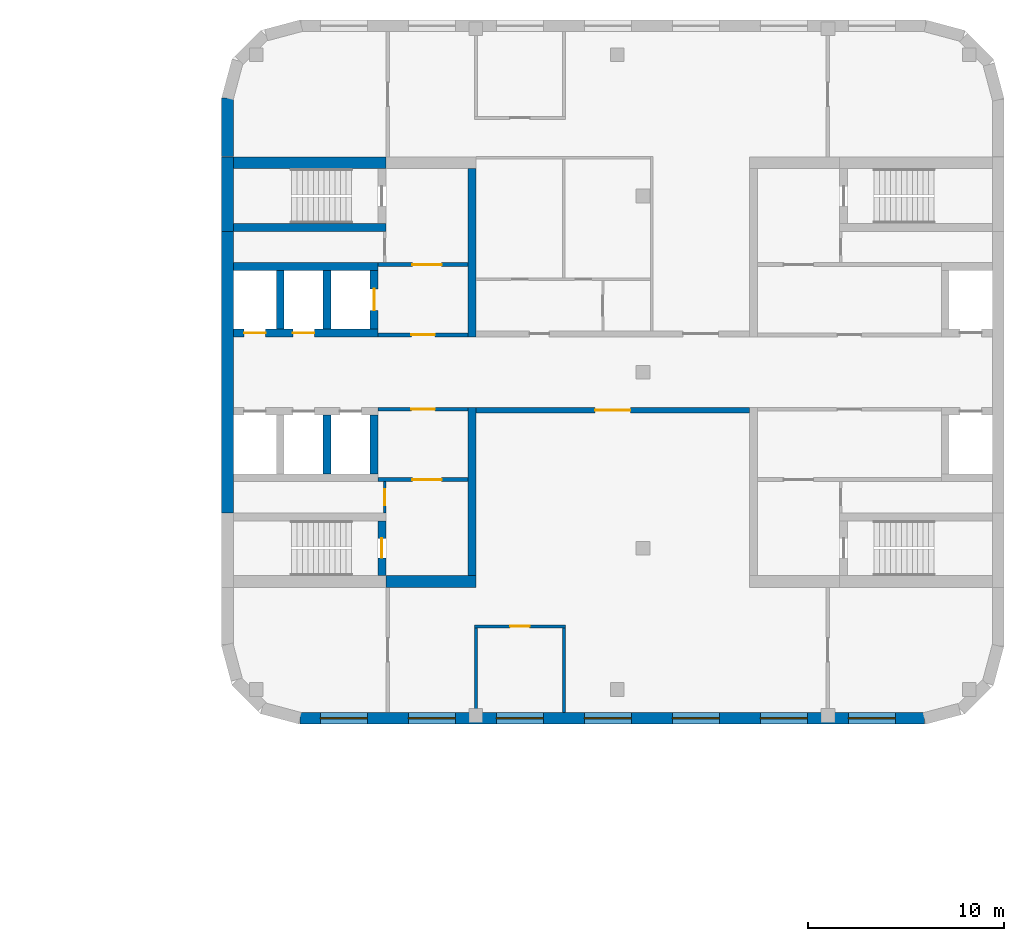
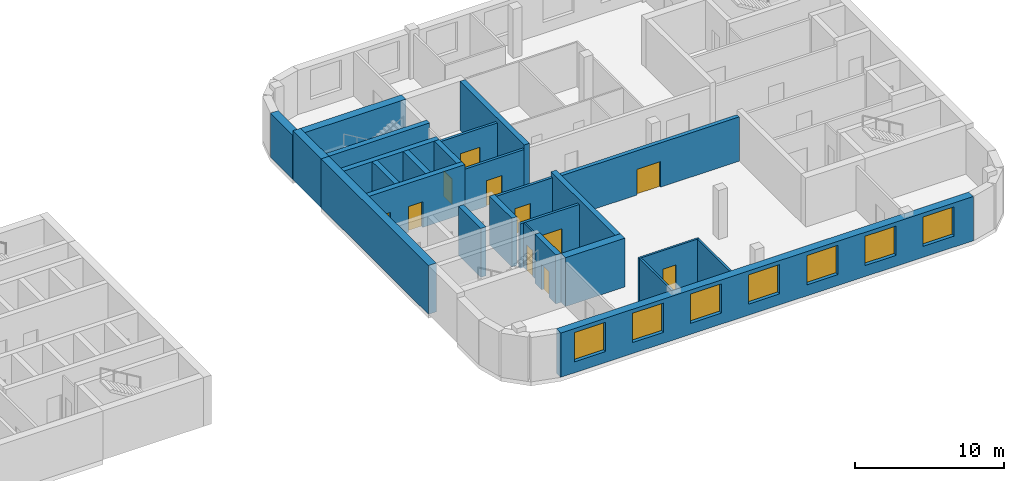
# One storey, part 7 of 12: 26 walls, 11 doors, 7 windows, 18 openings.
"""IFC4 building model written with IfcOpenShell, lengths in metres."""

import ifcopenshell
import ifcopenshell.guid

model = None  # the IFC model being written
_history = None  # IfcOwnerHistory: only IFC2X3 demands one
_inside = {}  # id of a spatial element -> (the spatial element, [elements in it])
_under = {}  # id of a project, library or spatial element -> (it, [spatial elements below it])
_declared = {}  # id of a project -> (the project, [libraries it declares])
_typed = {}  # id of a type object -> (the type object, [elements of that type])
_made_of = {}  # id of a material, layer set ... -> (it, [elements and type objects made of it])


def new_model(schema):
    """Start an empty IFC model of exactly this schema.

    Asked for "IFC4X3", IfcOpenShell would pick the latest addendum, in which some entities
    have other attributes; the version numbers below select the first issue.
    IFC2X3 requires an IfcOwnerHistory on every rooted entity: one is made here for all.
    """
    global model, _history
    if schema == "IFC4X3":
        model = ifcopenshell.file(schema_version=(4, 3, 0, 0))
    else:
        model = ifcopenshell.file(schema=schema)
    _inside.clear()
    _under.clear()
    _declared.clear()
    _typed.clear()
    _made_of.clear()
    _history = None
    if model.schema == "IFC2X3":
        org = make("IfcOrganization", Name="unknown")
        user = make(
            "IfcPersonAndOrganization",
            ThePerson=make("IfcPerson", FamilyName="unknown"),
            TheOrganization=org,
        )
        app = make(
            "IfcApplication",
            ApplicationDeveloper=org,
            Version="unknown",
            ApplicationFullName="unknown",
            ApplicationIdentifier="unknown",
        )
        _history = make(
            "IfcOwnerHistory",
            OwningUser=user,
            OwningApplication=app,
            ChangeAction="ADDED",
            CreationDate=0,
        )
    return model


def make(cls, **values):
    """One entity of the class cls with the attributes given. An attribute that is None is left unset."""
    return model.create_entity(
        cls, **{name: value for name, value in values.items() if value is not None}
    )


def rooted(cls, **values):
    """An entity with a GlobalId (a new one), such as an element, a storey or a relation."""
    return make(cls, GlobalId=ifcopenshell.guid.new(), OwnerHistory=_history, **values)


def si_unit(unit_type, name, prefix=None):
    """IfcSIUnit, for example si_unit("LENGTHUNIT", "METRE", prefix="MILLI")."""
    return make("IfcSIUnit", UnitType=unit_type, Prefix=prefix, Name=name)


def assignment(units):
    """IfcUnitAssignment: the units of a project."""
    return None if units is None else make("IfcUnitAssignment", Units=units)


def point(xyz):
    """IfcCartesianPoint."""
    return None if xyz is None else make("IfcCartesianPoint", Coordinates=xyz)


def direction(xyz):
    """IfcDirection."""
    return None if xyz is None else make("IfcDirection", DirectionRatios=xyz)


def frame(location, z_axis=None, x_axis=None):
    """IfcAxis2Placement3D, a coordinate frame: its origin and axes. An axis left out is left unset."""
    return make(
        "IfcAxis2Placement3D",
        Location=point(location),
        Axis=direction(z_axis),
        RefDirection=direction(x_axis),
    )


def frame_2d(location, x_axis=None):
    """IfcAxis2Placement2D, a coordinate frame in the plane: its origin and x axis."""
    return make(
        "IfcAxis2Placement2D", Location=point(location), RefDirection=direction(x_axis)
    )


def origin():
    """The frame at (0, 0, 0) with its axes left unset."""
    return frame((0.0, 0.0, 0.0))


def place(relative_to, where):
    """IfcLocalPlacement: puts the frame where relative to a parent placement (None: the world)."""
    return make(
        "IfcLocalPlacement", PlacementRelTo=relative_to, RelativePlacement=where
    )


def context(
    kind, dimensions, precision=None, world=None, true_north=None, identifier=None
):
    """IfcGeometricRepresentationContext, for example the 3D "Model" context."""
    return make(
        "IfcGeometricRepresentationContext",
        ContextIdentifier=identifier,
        ContextType=kind,
        CoordinateSpaceDimension=dimensions,
        Precision=precision,
        WorldCoordinateSystem=world,
        TrueNorth=true_north,
    )


def subcontext(parent, identifier, kind, view, scale=None):
    """IfcGeometricRepresentationSubContext, for example "Body" below "Model"."""
    return make(
        "IfcGeometricRepresentationSubContext",
        ContextIdentifier=identifier,
        ContextType=kind,
        ParentContext=parent,
        TargetScale=scale,
        TargetView=view,
    )


def project(units=None, contexts=None):
    """IfcProject with its units and contexts."""
    return rooted(
        "IfcProject",
        Name="project",
        RepresentationContexts=contexts,
        UnitsInContext=assignment(units),
    )


def spatial(cls, under=None, at=None, **own):
    """A site, building, storey or space (cls), placed at a placement, below another one or the project."""
    s = rooted(cls, ObjectPlacement=at, **own)
    if under is not None:
        _under.setdefault(under.id(), (under, []))[1].append(s)
    return s


def profile(cls, at=None, kind="AREA", **sizes):
    """A parametric profile (cls). Its sizes go by their IFC names, for example OverallWidth=200.0."""
    return make(cls, ProfileType=kind, Position=at, **sizes)


def rectangle(**sizes):
    """IfcRectangleProfileDef."""
    return profile("IfcRectangleProfileDef", **sizes)


def extrude(swept, where, along, depth):
    """IfcExtrudedAreaSolid: the profile swept, set in the frame where, extruded along a direction by depth."""
    return make(
        "IfcExtrudedAreaSolid",
        SweptArea=swept,
        Position=where,
        ExtrudedDirection=direction(along),
        Depth=depth,
    )


def shape(context_of_items, identifier, shape_type, items):
    """IfcShapeRepresentation: the items that make up one representation, for example the "Body"."""
    return make(
        "IfcShapeRepresentation",
        ContextOfItems=context_of_items,
        RepresentationIdentifier=identifier,
        RepresentationType=shape_type,
        Items=items,
    )


def material(Name=None, Category=None):
    """IfcMaterial."""
    return make("IfcMaterial", Name=Name, Category=Category)


def layer(
    of_material, thickness, ventilated=None, Name=None, Category=None, Priority=None
):
    """IfcMaterialLayer: one layer of a wall or slab, of a material (None: an air gap)."""
    return make(
        "IfcMaterialLayer",
        Material=of_material,
        LayerThickness=thickness,
        IsVentilated=ventilated,
        Name=Name,
        Category=Category,
        Priority=Priority,
    )


def layer_set(layers, Name=None):
    """IfcMaterialLayerSet."""
    return make("IfcMaterialLayerSet", MaterialLayers=layers, LayerSetName=Name)


def made_of(thing, what):
    """Note that an element or type object is made of a material, layer set ...; save() writes the relation."""
    if what is not None:
        _made_of.setdefault(what.id(), (what, []))[1].append(thing)
    return thing


def type_object(cls, material=None, **own):
    """A type object (cls), such as IfcWallType, which elements share."""
    return made_of(rooted(cls, **own), material)


def element(
    cls,
    number,
    at=None,
    inside=None,
    cuts=None,
    type_object=None,
    material=None,
    context=None,
    identifier="Body",
    shape_type=None,
    held_by="IfcProductDefinitionShape",
    body=None,
    shapes=None,
    **own,
):
    """One element of the class cls, such as IfcWall. Its Tag is "e" and its number.

    at: its placement. inside: the storey or other place that contains it. cuts: it is an
    opening in that element (IfcRelVoidsElement). A single representation is given by context,
    identifier, shape_type and body (its items); several are given by shapes. held_by: the class
    of the entity that holds the representations. save() writes the other relations.
    """
    e = rooted(cls, Tag="e%d" % number, ObjectPlacement=at, **own)
    if body is not None:
        shapes = [shape(context, identifier, shape_type, body)]
    if shapes is not None:
        e.Representation = make(held_by, Representations=shapes)
    if inside is not None:
        _inside.setdefault(inside.id(), (inside, []))[1].append(e)
    if cuts is not None:
        rooted(
            "IfcRelVoidsElement", RelatingBuildingElement=cuts, RelatedOpeningElement=e
        )
    if type_object is not None:
        _typed.setdefault(type_object.id(), (type_object, []))[1].append(e)
    return made_of(e, material)


def fill(opening, filler):
    """IfcRelFillsElement: the door or window that sits in an opening."""
    return rooted(
        "IfcRelFillsElement",
        RelatingOpeningElement=opening,
        RelatedBuildingElement=filler,
    )


def aggregate(whole, parts):
    """IfcRelAggregates: a whole, such as a stair, and the parts it consists of."""
    return rooted("IfcRelAggregates", RelatingObject=whole, RelatedObjects=parts)


def save(model, path):
    """Write the relations noted so far, then the file.

    IfcRelAggregates (storeys below a building ...), IfcRelContainedInSpatialStructure (elements
    in a storey), IfcRelDefinesByType, IfcRelAssociatesMaterial and IfcRelDeclares: one each for
    every whole, place, type object, material and project.
    """
    for whole, parts in _under.values():
        aggregate(whole, parts)
    for where, things in _inside.values():
        rooted(
            "IfcRelContainedInSpatialStructure",
            RelatedElements=things,
            RelatingStructure=where,
        )
    for kind, things in _typed.values():
        rooted("IfcRelDefinesByType", RelatedObjects=things, RelatingType=kind)
    for what, things in _made_of.values():
        rooted("IfcRelAssociatesMaterial", RelatedObjects=things, RelatingMaterial=what)
    for by, libraries in _declared.values():
        rooted("IfcRelDeclares", RelatingContext=by, RelatedDefinitions=libraries)
    model.write(path)


model = new_model("IFC4")

# Units and contexts
model_context = context("Model", 3, precision=1e-05, world=origin(), true_north=direction((0.0, 1.0)))
body_context = subcontext(model_context, "Body", "Model", "MODEL_VIEW")
ifc_project = project(units=[si_unit("LENGTHUNIT", "METRE"), si_unit("AREAUNIT", "SQUARE_METRE"), si_unit("VOLUMEUNIT", "CUBIC_METRE"), si_unit("PLANEANGLEUNIT", "RADIAN"), si_unit("MASSUNIT", "GRAM", prefix="KILO")], contexts=[model_context])

# Site, building, storey
site_placement = place(None, origin())
site = spatial("IfcSite", under=ifc_project, at=site_placement, CompositionType="ELEMENT")
building_placement = place(site_placement, origin())
building = spatial("IfcBuilding", under=site, at=building_placement, Name="Skarvind Civic Tower", CompositionType="ELEMENT")
storey_placement = place(building_placement, frame((0.0, 0.0, 85.0)))
storey = spatial("IfcBuildingStorey", under=building, at=storey_placement, Name="L19", CompositionType="ELEMENT", Elevation=85.0)

# Wall, opening, door
ifc_material_1 = material(Name="Fire-rated gypsum board on steel studs", Category="steel")
ifc_layer_1 = layer(ifc_material_1, 0.300048828125)
ifc_layer_set_1 = layer_set([ifc_layer_1], Name="CORRIDOR WALL 300")
wall_type_1 = type_object("IfcWallType", Name="CORRIDOR WALL 300", PredefinedType="PARTITIONING", material=ifc_layer_set_1)
wall_1_placement = place(storey_placement, frame((154.0, 126.050048828125, 0.0), z_axis=(0.0, 0.0, 1.0), x_axis=(-1.0, 0.0, 0.0)))
wall_1 = element("IfcWall", 1, at=wall_1_placement, inside=storey, type_object=wall_type_1, Name="Partition 19.015", PredefinedType="PARTITIONING", context=body_context, shape_type="SweptSolid", body=[
    extrude(rectangle(XDim=14.0, YDim=0.300048828125, at=frame_2d((7.0, 0.0))), origin(), (0.0, 0.0, 1.0), 3.625),
])
opening_1_placement = place(wall_1_placement, frame((6.10009765625, 0.0, 0.0)))
opening_1 = element("IfcOpeningElement", 2, at=opening_1_placement, cuts=wall_1, Name="Opening L19-D109", PredefinedType="OPENING", context=body_context, shape_type="SweptSolid", body=[
    extrude(rectangle(XDim=1.800048828125, YDim=2.10009765625, at=frame_2d((0.89990234375, 1.050048828125))), frame((0.0, 0.159912109375, 0.0), z_axis=(0.0, -1.0, 0.0), x_axis=(1.0, 0.0, 0.0)), (0.0, 0.0, 1.0), 0.320068359375),
])
ifc_material_2 = material(Name="Fire-rated timber door leaf", Category="wood")
door_type_1 = type_object("IfcDoorType", Name="FD4 1800x2100", OperationType="NOTDEFINED", PredefinedType="DOOR", material=ifc_material_2)
door_1_placement = place(opening_1_placement, origin())
door_1 = element("IfcDoor", 3, at=door_1_placement, inside=storey, type_object=door_type_1, Name="Door L19-D109", OperationType="DOUBLE_DOOR_SINGLE_SWING", OverallHeight=2.10009765625, OverallWidth=1.800048828125, PredefinedType="DOOR", context=body_context, shape_type="SweptSolid", body=[
    extrude(rectangle(XDim=1.800048828125, YDim=2.10009765625, at=frame_2d((0.89990234375, 1.050048828125))), frame((0.0, 0.02490234375, 0.0), z_axis=(0.0, -1.0, 0.0), x_axis=(1.0, 0.0, 0.0)), (0.0, 0.0, 1.0), 0.050048828125),
])
fill(opening_1, door_1)

ifc_material_3 = material(Name="Fire-rated masonry partition", Category="masonry")
ifc_layer_2 = layer(ifc_material_3, 0.199951171875)
ifc_layer_set_2 = layer_set([ifc_layer_2], Name="Core enclosure wall 200")
wall_type_2 = type_object("IfcWallType", Name="Core enclosure wall 200", PredefinedType="PARTITIONING", material=ifc_layer_set_2)
wall_2_placement = place(storey_placement, frame((135.0, 129.89990234375, 0.0), z_axis=(0.0, 0.0, 1.0), x_axis=(1.0, 0.0, 0.0)))
wall_2 = element("IfcWall", 4, at=wall_2_placement, inside=storey, type_object=wall_type_2, Name="Core wall CA", PredefinedType="PARTITIONING", context=body_context, shape_type="SweptSolid", body=[
    extrude(rectangle(XDim=4.60009765625, YDim=0.199951171875, at=frame_2d((2.300048828125, 0.0))), origin(), (0.0, 0.0, 1.0), 3.625),
])
opening_2_placement = place(wall_2_placement, frame((1.699951171875, 0.0, 0.0)))
opening_2 = element("IfcOpeningElement", 5, at=opening_2_placement, cuts=wall_2, Name="Opening D-L19-CA-06", PredefinedType="OPENING", context=body_context, shape_type="SweptSolid", body=[
    extrude(rectangle(XDim=1.199951171875, YDim=2.10009765625, at=frame_2d((0.60009765625, 1.050048828125))), frame((0.0, 0.10986328125, 0.0), z_axis=(0.0, -1.0, 0.0), x_axis=(1.0, 0.0, 0.0)), (0.0, 0.0, 1.0), 0.219970703125),
])
ifc_material_4 = material(Name="Fire-rated steel door", Category="steel")
door_type_2 = type_object("IfcDoorType", Name="Core lobby door 1200", OperationType="NOTDEFINED", PredefinedType="DOOR", material=ifc_material_4)
door_2_placement = place(opening_2_placement, origin())
door_2 = element("IfcDoor", 6, at=door_2_placement, inside=storey, type_object=door_type_2, Name="Fire door", OperationType="DOUBLE_DOOR_SINGLE_SWING", OverallHeight=2.10009765625, OverallWidth=1.199951171875, PredefinedType="DOOR", context=body_context, shape_type="SweptSolid", body=[
    extrude(rectangle(XDim=1.199951171875, YDim=2.10009765625, at=frame_2d((0.60009765625, 1.050048828125))), frame((0.0, 0.02490234375, 0.0), z_axis=(0.0, -1.0, 0.0), x_axis=(1.0, 0.0, 0.0)), (0.0, 0.0, 1.0), 0.050048828125),
])
fill(opening_2, door_2)

wall_3_placement = place(storey_placement, frame((135.0, 133.5, 0.0), z_axis=(0.0, 0.0, 1.0), x_axis=(1.0, 0.0, 0.0)))
wall_3 = element("IfcWall", 7, at=wall_3_placement, inside=storey, type_object=wall_type_2, Name="Core wall CA", PredefinedType="PARTITIONING", context=body_context, shape_type="SweptSolid", body=[
    extrude(rectangle(XDim=4.60009765625, YDim=0.199951171875, at=frame_2d((2.300048828125, 0.0))), origin(), (0.0, 0.0, 1.0), 3.625),
])
opening_3_placement = place(wall_3_placement, frame((1.75, 0.0, 0.0)))
opening_3 = element("IfcOpeningElement", 8, at=opening_3_placement, cuts=wall_3, Name="Opening D-L19-CA-07", PredefinedType="OPENING", context=body_context, shape_type="SweptSolid", body=[
    extrude(rectangle(XDim=1.5, YDim=2.10009765625, at=frame_2d((0.75, 1.050048828125))), frame((0.0, 0.10986328125, 0.0), z_axis=(0.0, -1.0, 0.0), x_axis=(1.0, 0.0, 0.0)), (0.0, 0.0, 1.0), 0.219970703125),
])
door_type_3 = type_object("IfcDoorType", Name="Fire door 1500", OperationType="NOTDEFINED", PredefinedType="DOOR", material=ifc_material_4)
door_3_placement = place(opening_3_placement, origin())
door_3 = element("IfcDoor", 9, at=door_3_placement, inside=storey, type_object=door_type_3, Name="Fire door", OperationType="DOUBLE_DOOR_SINGLE_SWING", OverallHeight=2.10009765625, OverallWidth=1.5, PredefinedType="DOOR", context=body_context, shape_type="SweptSolid", body=[
    extrude(rectangle(XDim=1.5, YDim=2.10009765625, at=frame_2d((0.75, 1.050048828125))), frame((0.0, 0.02490234375, 0.0), z_axis=(0.0, -1.0, 0.0), x_axis=(1.0, 0.0, 0.0)), (0.0, 0.0, 1.0), 0.050048828125),
])
fill(opening_3, door_3)

wall_4_placement = place(storey_placement, frame((139.60009765625, 126.10009765625, 0.0), z_axis=(0.0, 0.0, 1.0), x_axis=(-1.0, 0.0, 0.0)))
wall_4 = element("IfcWall", 10, at=wall_4_placement, inside=storey, type_object=wall_type_2, Name="Core wall CA", PredefinedType="PARTITIONING", context=body_context, shape_type="SweptSolid", body=[
    extrude(rectangle(XDim=4.60009765625, YDim=0.199951171875, at=frame_2d((2.300048828125, 0.0))), origin(), (0.0, 0.0, 1.0), 3.625),
])
opening_4_placement = place(wall_4_placement, frame((1.699951171875, 0.0, 0.0)))
opening_4 = element("IfcOpeningElement", 11, at=opening_4_placement, cuts=wall_4, Name="Opening D-L19-CA-10", PredefinedType="OPENING", context=body_context, shape_type="SweptSolid", body=[
    extrude(rectangle(XDim=1.199951171875, YDim=2.10009765625, at=frame_2d((0.60009765625, 1.050048828125))), frame((0.0, 0.10986328125, 0.0), z_axis=(0.0, -1.0, 0.0), x_axis=(1.0, 0.0, 0.0)), (0.0, 0.0, 1.0), 0.219970703125),
])
door_4_placement = place(opening_4_placement, origin())
door_4 = element("IfcDoor", 12, at=door_4_placement, inside=storey, type_object=door_type_2, Name="Fire door", OperationType="DOUBLE_DOOR_SINGLE_SWING", OverallHeight=2.10009765625, OverallWidth=1.199951171875, PredefinedType="DOOR", context=body_context, shape_type="SweptSolid", body=[
    extrude(rectangle(XDim=1.199951171875, YDim=2.10009765625, at=frame_2d((0.60009765625, 1.050048828125))), frame((0.0, 0.02490234375, 0.0), z_axis=(0.0, -1.0, 0.0), x_axis=(1.0, 0.0, 0.0)), (0.0, 0.0, 1.0), 0.050048828125),
])
fill(opening_4, door_4)

wall_5_placement = place(storey_placement, frame((139.60009765625, 122.5, 0.0), z_axis=(0.0, 0.0, 1.0), x_axis=(-1.0, 0.0, 0.0)))
wall_5 = element("IfcWall", 13, at=wall_5_placement, inside=storey, type_object=wall_type_2, Name="Core wall CA", PredefinedType="PARTITIONING", context=body_context, shape_type="SweptSolid", body=[
    extrude(rectangle(XDim=4.60009765625, YDim=0.199951171875, at=frame_2d((2.300048828125, 0.0))), origin(), (0.0, 0.0, 1.0), 3.625),
])
opening_5_placement = place(wall_5_placement, frame((1.35009765625, 0.0, 0.0)))
opening_5 = element("IfcOpeningElement", 14, at=opening_5_placement, cuts=wall_5, Name="Opening D-L19-CA-11", PredefinedType="OPENING", context=body_context, shape_type="SweptSolid", body=[
    extrude(rectangle(XDim=1.5, YDim=2.10009765625, at=frame_2d((0.75, 1.050048828125))), frame((0.0, 0.10986328125, 0.0), z_axis=(0.0, -1.0, 0.0), x_axis=(1.0, 0.0, 0.0)), (0.0, 0.0, 1.0), 0.219970703125),
])
door_5_placement = place(opening_5_placement, origin())
door_5 = element("IfcDoor", 15, at=door_5_placement, inside=storey, type_object=door_type_3, Name="Fire door", OperationType="DOUBLE_DOOR_SINGLE_SWING", OverallHeight=2.10009765625, OverallWidth=1.5, PredefinedType="DOOR", context=body_context, shape_type="SweptSolid", body=[
    extrude(rectangle(XDim=1.5, YDim=2.10009765625, at=frame_2d((0.75, 1.050048828125))), frame((0.0, 0.02490234375, 0.0), z_axis=(0.0, -1.0, 0.0), x_axis=(1.0, 0.0, 0.0)), (0.0, 0.0, 1.0), 0.050048828125),
])
fill(opening_5, door_5)

ifc_material_5 = material(Name="Concrete C80", Category="concrete")
ifc_layer_3 = layer(ifc_material_5, 0.39990234375)
ifc_layer_set_3 = layer_set([ifc_layer_3], Name="Core wall 400 C80")
wall_type_3 = type_object("IfcWallType", Name="Core wall 400 C80", PredefinedType="SHEAR", material=ifc_layer_set_3)
wall_6_placement = place(storey_placement, frame((135.199951171875, 117.60009765625, 0.0), z_axis=(0.0, 0.0, 1.0), x_axis=(0.0, 1.0, 0.0)))
wall_6 = element("IfcWall", 16, at=wall_6_placement, inside=storey, type_object=wall_type_3, Name="Core wall CA south stair end L19", PredefinedType="SHEAR", context=body_context, shape_type="SweptSolid", body=[
    extrude(rectangle(XDim=2.7998046875, YDim=0.39990234375, at=frame_2d((1.39990234375, 0.0))), origin(), (0.0, 0.0, 1.0), 4.0),
])
opening_6_placement = place(wall_6_placement, frame((0.89990234375, 0.0, 0.0)))
opening_6 = element("IfcOpeningElement", 17, at=opening_6_placement, cuts=wall_6, Name="Opening D-L19-CA-12", PredefinedType="OPENING", context=body_context, shape_type="SweptSolid", body=[
    extrude(rectangle(XDim=1.0, YDim=2.10009765625, at=frame_2d((0.5, 1.050048828125))), frame((0.0, 0.2099609375, 0.0), z_axis=(0.0, -1.0, 0.0), x_axis=(1.0, 0.0, 0.0)), (0.0, 0.0, 1.0), 0.419921875),
])
door_type_4 = type_object("IfcDoorType", Name="Fire door 1000", OperationType="NOTDEFINED", PredefinedType="DOOR", material=ifc_material_4)
door_6_placement = place(opening_6_placement, origin())
door_6 = element("IfcDoor", 18, at=door_6_placement, inside=storey, type_object=door_type_4, Name="Fire door", OperationType="SINGLE_SWING_RIGHT", OverallHeight=2.10009765625, OverallWidth=1.0, PredefinedType="DOOR", context=body_context, shape_type="SweptSolid", body=[
    extrude(rectangle(XDim=1.0, YDim=2.10009765625, at=frame_2d((0.5, 1.050048828125))), frame((0.0, 0.02490234375, 0.0), z_axis=(0.0, -1.0, 0.0), x_axis=(1.0, 0.0, 0.0)), (0.0, 0.0, 1.0), 0.050048828125),
])
fill(opening_6, door_6)

# Walls
wall_7_placement = place(storey_placement, frame((127.60009765625, 135.39990234375, 0.0), z_axis=(0.0, 0.0, 1.0), x_axis=(1.0, 0.0, 0.0)))
element("IfcWall", 19, at=wall_7_placement, inside=storey, type_object=wall_type_3, Name="Core wall CA north stair inner L19", PredefinedType="SHEAR", context=body_context, shape_type="SweptSolid", body=[
    extrude(rectangle(XDim=7.7998046875, YDim=0.39990234375, at=frame_2d((3.89990234375, 0.0))), origin(), (0.0, 0.0, 1.0), 4.0),
])
for number, where, z_axis, x_axis, name in (
    (20, (132.39990234375, 122.800048828125, 0.0), (0.0, 0.0, 1.0), (0.0, 1.0, 0.0), "Core wall CA south lift row division 2 L19"),
    (21, (134.800048828125, 122.800048828125, 0.0), (0.0, 0.0, 1.0), (0.0, 1.0, 0.0), "Core wall CA south lift row division 3 L19"),
):
    element("IfcWall", number, at=place(storey_placement, frame(where, z_axis=z_axis, x_axis=x_axis)), inside=storey, type_object=wall_type_3, Name=name, PredefinedType="SHEAR", context=body_context, shape_type="SweptSolid", body=[
        extrude(rectangle(XDim=3.0, YDim=0.39990234375, at=frame_2d((1.5, 0.0))), origin(), (0.0, 0.0, 1.0), 4.0),
    ])

# Wall, openings, doors
wall_8_placement = place(storey_placement, frame((127.60009765625, 130.0, 0.0), z_axis=(0.0, 0.0, 1.0), x_axis=(1.0, 0.0, 0.0)))
wall_8 = element("IfcWall", 22, at=wall_8_placement, inside=storey, type_object=wall_type_3, Name="Core wall CA north lift row front L19", PredefinedType="SHEAR", context=body_context, shape_type="SweptSolid", body=[
    extrude(rectangle(XDim=7.39990234375, YDim=0.39990234375, at=frame_2d((3.699951171875, 0.0))), origin(), (0.0, 0.0, 1.0), 4.0),
])
opening_7_placement = place(wall_8_placement, frame((0.550048828125, 0.0, 0.0)))
opening_7 = element("IfcOpeningElement", 23, at=opening_7_placement, cuts=wall_8, Name="Opening LD21301", PredefinedType="OPENING", context=body_context, shape_type="SweptSolid", body=[
    extrude(rectangle(XDim=1.10009765625, YDim=2.10009765625, at=frame_2d((0.550048828125, 1.050048828125))), frame((0.0, 0.2099609375, 0.0), z_axis=(0.0, -1.0, 0.0), x_axis=(1.0, 0.0, 0.0)), (0.0, 0.0, 1.0), 0.419921875),
])
opening_8_placement = place(wall_8_placement, frame((3.050048828125, 0.0, 0.0)))
opening_8 = element("IfcOpeningElement", 24, at=opening_8_placement, cuts=wall_8, Name="Opening LD21302", PredefinedType="OPENING", context=body_context, shape_type="SweptSolid", body=[
    extrude(rectangle(XDim=1.10009765625, YDim=2.10009765625, at=frame_2d((0.550048828125, 1.050048828125))), frame((0.0, 0.2099609375, 0.0), z_axis=(0.0, -1.0, 0.0), x_axis=(1.0, 0.0, 0.0)), (0.0, 0.0, 1.0), 0.419921875),
])
ifc_material_6 = material(Name="Stainless steel landing door", Category="steel")
door_type_5 = type_object("IfcDoorType", Name="Lift landing door 1100", OperationType="DOUBLE_DOOR_SLIDING", PredefinedType="DOOR", material=ifc_material_6)
door_7_placement = place(opening_7_placement, origin())
door_7 = element("IfcDoor", 25, at=door_7_placement, inside=storey, type_object=door_type_5, Name="Lift landing door", OperationType="DOUBLE_DOOR_SLIDING", OverallHeight=2.10009765625, OverallWidth=1.10009765625, PredefinedType="DOOR", context=body_context, shape_type="SweptSolid", body=[
    extrude(rectangle(XDim=1.10009765625, YDim=2.10009765625, at=frame_2d((0.550048828125, 1.050048828125))), frame((0.0, 0.02490234375, 0.0), z_axis=(0.0, -1.0, 0.0), x_axis=(1.0, 0.0, 0.0)), (0.0, 0.0, 1.0), 0.050048828125),
])
fill(opening_7, door_7)
door_8_placement = place(opening_8_placement, origin())
door_8 = element("IfcDoor", 26, at=door_8_placement, inside=storey, type_object=door_type_5, Name="Lift landing door", OperationType="DOUBLE_DOOR_SLIDING", OverallHeight=2.10009765625, OverallWidth=1.10009765625, PredefinedType="DOOR", context=body_context, shape_type="SweptSolid", body=[
    extrude(rectangle(XDim=1.10009765625, YDim=2.10009765625, at=frame_2d((0.550048828125, 1.050048828125))), frame((0.0, 0.02490234375, 0.0), z_axis=(0.0, -1.0, 0.0), x_axis=(1.0, 0.0, 0.0)), (0.0, 0.0, 1.0), 0.050048828125),
])
fill(opening_8, door_8)

# Walls
wall_9_placement = place(storey_placement, frame((127.60009765625, 133.39990234375, 0.0), z_axis=(0.0, 0.0, 1.0), x_axis=(1.0, 0.0, 0.0)))
element("IfcWall", 27, at=wall_9_placement, inside=storey, type_object=wall_type_3, Name="Core wall CA north lift row back L19", PredefinedType="SHEAR", context=body_context, shape_type="SweptSolid", body=[
    extrude(rectangle(XDim=7.39990234375, YDim=0.39990234375, at=frame_2d((3.699951171875, 0.0))), origin(), (0.0, 0.0, 1.0), 4.0),
])
for number, where, z_axis, x_axis, name in (
    (28, (130.0, 130.199951171875, 0.0), (0.0, 0.0, 1.0), (0.0, 1.0, 0.0), "Core wall CA north lift row division 1 L19"),
    (29, (132.39990234375, 130.199951171875, 0.0), (0.0, 0.0, 1.0), (0.0, 1.0, 0.0), "Core wall CA north lift row division 2 L19"),
):
    element("IfcWall", number, at=place(storey_placement, frame(where, z_axis=z_axis, x_axis=x_axis)), inside=storey, type_object=wall_type_3, Name=name, PredefinedType="SHEAR", context=body_context, shape_type="SweptSolid", body=[
        extrude(rectangle(XDim=3.0, YDim=0.39990234375, at=frame_2d((1.5, 0.0))), origin(), (0.0, 0.0, 1.0), 4.0),
    ])

# Wall, opening, door
wall_10_placement = place(storey_placement, frame((134.800048828125, 130.199951171875, 0.0), z_axis=(0.0, 0.0, 1.0), x_axis=(0.0, 1.0, 0.0)))
wall_10 = element("IfcWall", 30, at=wall_10_placement, inside=storey, type_object=wall_type_3, Name="Core wall CA north lift row division 3 L19", PredefinedType="SHEAR", context=body_context, shape_type="SweptSolid", body=[
    extrude(rectangle(XDim=3.0, YDim=0.39990234375, at=frame_2d((1.5, 0.0))), origin(), (0.0, 0.0, 1.0), 4.0),
])
opening_9_placement = place(wall_10_placement, frame((0.949951171875, 0.0, 0.0)))
opening_9 = element("IfcOpeningElement", 31, at=opening_9_placement, cuts=wall_10, Name="Opening LD21303", PredefinedType="OPENING", context=body_context, shape_type="SweptSolid", body=[
    extrude(rectangle(XDim=1.10009765625, YDim=2.10009765625, at=frame_2d((0.550048828125, 1.050048828125))), frame((0.0, 0.2099609375, 0.0), z_axis=(0.0, -1.0, 0.0), x_axis=(1.0, 0.0, 0.0)), (0.0, 0.0, 1.0), 0.419921875),
])
door_9_placement = place(opening_9_placement, origin())
door_9 = element("IfcDoor", 32, at=door_9_placement, inside=storey, type_object=door_type_5, Name="Lift landing door", OperationType="DOUBLE_DOOR_SLIDING", OverallHeight=2.10009765625, OverallWidth=1.10009765625, PredefinedType="DOOR", context=body_context, shape_type="SweptSolid", body=[
    extrude(rectangle(XDim=1.10009765625, YDim=2.10009765625, at=frame_2d((0.550048828125, 1.050048828125))), frame((0.0, 0.02490234375, 0.0), z_axis=(0.0, -1.0, 0.0), x_axis=(1.0, 0.0, 0.0)), (0.0, 0.0, 1.0), 0.050048828125),
])
fill(opening_9, door_9)

# Walls
for number, where, z_axis, x_axis, name in (
    (33, (139.800048828125, 117.60009765625, 0.0), (0.0, 0.0, 1.0), (0.0, 1.0, 0.0), "Core wall CA south inner face L19"),
    (34, (139.800048828125, 129.800048828125, 0.0), (0.0, 0.0, 1.0), (0.0, 1.0, 0.0), "Core wall CA north inner face L19"),
):
    element("IfcWall", number, at=place(storey_placement, frame(where, z_axis=z_axis, x_axis=x_axis)), inside=storey, type_object=wall_type_3, Name=name, PredefinedType="SHEAR", context=body_context, shape_type="SweptSolid", body=[
        extrude(rectangle(XDim=8.599853515625, YDim=0.39990234375, at=frame_2d((4.2998046875, 0.0))), origin(), (0.0, 0.0, 1.0), 4.0),
    ])
ifc_layer_4 = layer(ifc_material_5, 0.60009765625)
ifc_layer_set_4 = layer_set([ifc_layer_4], Name="Core wall 600 C80")
wall_type_4 = type_object("IfcWallType", Name="Core wall 600 C80", PredefinedType="SHEAR", material=ifc_layer_set_4)
wall_11_placement = place(storey_placement, frame((127.300048828125, 120.800048828125, 0.0), z_axis=(0.0, 0.0, 1.0), x_axis=(0.0, 1.0, 0.0)))
element("IfcWall", 35, at=wall_11_placement, inside=storey, type_object=wall_type_4, Name="Core wall CA tip between the stairs L19", PredefinedType="SHEAR", context=body_context, shape_type="SweptSolid", body=[
    extrude(rectangle(XDim=14.39990234375, YDim=0.60009765625, at=frame_2d((7.199951171875, 0.0))), origin(), (0.0, 0.0, 1.0), 4.0),
])
wall_12_placement = place(storey_placement, frame((127.300048828125, 135.199951171875, 0.0), z_axis=(0.0, 0.0, 1.0), x_axis=(0.0, 1.0, 0.0)))
element("IfcWall", 36, at=wall_12_placement, inside=storey, type_object=wall_type_4, Name="Core wall CA tip at the north stair L19", PredefinedType="SHEAR", context=body_context, shape_type="SweptSolid", body=[
    extrude(rectangle(XDim=3.800048828125, YDim=0.60009765625, at=frame_2d((1.89990234375, 0.0))), origin(), (0.0, 0.0, 1.0), 4.0),
])
wall_13_placement = place(storey_placement, frame((127.60009765625, 138.699951171875, 0.0), z_axis=(0.0, 0.0, 1.0), x_axis=(1.0, 0.0, 0.0)))
element("IfcWall", 37, at=wall_13_placement, inside=storey, type_object=wall_type_4, Name="Core wall CA north side at the stair L19", PredefinedType="SHEAR", context=body_context, shape_type="SweptSolid", body=[
    extrude(rectangle(XDim=7.7998046875, YDim=0.60009765625, at=frame_2d((3.89990234375, 0.0))), origin(), (0.0, 0.0, 1.0), 4.0),
])
wall_14_placement = place(storey_placement, frame((135.39990234375, 117.300048828125, 0.0), z_axis=(0.0, 0.0, 1.0), x_axis=(1.0, 0.0, 0.0)))
element("IfcWall", 38, at=wall_14_placement, inside=storey, type_object=wall_type_4, Name="Core wall CA south side L19", PredefinedType="SHEAR", context=body_context, shape_type="SweptSolid", body=[
    extrude(rectangle(XDim=4.60009765625, YDim=0.60009765625, at=frame_2d((2.300048828125, 0.0))), origin(), (0.0, 0.0, 1.0), 4.0),
])
ifc_material_7 = material(Name="Plasterboard partition on steel studs", Category="steel")
ifc_layer_5 = layer(ifc_material_7, 0.14990234375)
ifc_layer_set_5 = layer_set([ifc_layer_5], Name="PARTITION 150")
wall_type_5 = type_object("IfcWallType", Name="PARTITION 150", PredefinedType="PARTITIONING", material=ifc_layer_set_5)
wall_15_placement = place(storey_placement, frame((140.0, 110.60009765625, 0.0), z_axis=(0.0, 0.0, 1.0), x_axis=(0.0, 1.0, 0.0)))
element("IfcWall", 39, at=wall_15_placement, inside=storey, type_object=wall_type_5, Name="Partition 19.003", PredefinedType="PARTITIONING", context=body_context, shape_type="SweptSolid", body=[
    extrude(rectangle(XDim=4.324951171875, YDim=0.14990234375, at=frame_2d((2.16259765625, 0.0))), origin(), (0.0, 0.0, 1.0), 3.625),
])

# Wall, opening, door
wall_16_placement = place(storey_placement, frame((139.925048828125, 115.0, 0.0), z_axis=(0.0, 0.0, 1.0), x_axis=(1.0, 0.0, 0.0)))
wall_16 = element("IfcWall", 40, at=wall_16_placement, inside=storey, type_object=wall_type_5, Name="Partition 19.004", PredefinedType="PARTITIONING", context=body_context, shape_type="SweptSolid", body=[
    extrude(rectangle(XDim=4.64990234375, YDim=0.14990234375, at=frame_2d((2.324951171875, 0.0))), origin(), (0.0, 0.0, 1.0), 3.625),
])
opening_10_placement = place(wall_16_placement, frame((1.824951171875, 0.0, 0.0)))
opening_10 = element("IfcOpeningElement", 41, at=opening_10_placement, cuts=wall_16, Name="Opening L19-D110", PredefinedType="OPENING", context=body_context, shape_type="SweptSolid", body=[
    extrude(rectangle(XDim=1.0, YDim=2.10009765625, at=frame_2d((0.5, 1.050048828125))), frame((0.0, 0.0849609375, 0.0), z_axis=(0.0, -1.0, 0.0), x_axis=(1.0, 0.0, 0.0)), (0.0, 0.0, 1.0), 0.169921875),
])
ifc_material_8 = material(Name="Timber door leaf", Category="wood")
door_type_6 = type_object("IfcDoorType", Name="D1 1000x2100", OperationType="NOTDEFINED", PredefinedType="DOOR", material=ifc_material_8)
door_10_placement = place(opening_10_placement, origin())
door_10 = element("IfcDoor", 42, at=door_10_placement, inside=storey, type_object=door_type_6, Name="Door L19-D110", OperationType="SINGLE_SWING_LEFT", OverallHeight=2.10009765625, OverallWidth=1.0, PredefinedType="DOOR", context=body_context, shape_type="SweptSolid", body=[
    extrude(rectangle(XDim=1.0, YDim=2.10009765625, at=frame_2d((0.5, 1.050048828125))), frame((0.0, 0.02490234375, 0.0), z_axis=(0.0, -1.0, 0.0), x_axis=(1.0, 0.0, 0.0)), (0.0, 0.0, 1.0), 0.050048828125),
])
fill(opening_10, door_10)

# Wall
wall_17_placement = place(storey_placement, frame((144.5, 114.925048828125, 0.0), z_axis=(0.0, 0.0, 1.0), x_axis=(0.0, -1.0, 0.0)))
element("IfcWall", 43, at=wall_17_placement, inside=storey, type_object=wall_type_5, Name="Partition 19.009", PredefinedType="PARTITIONING", context=body_context, shape_type="SweptSolid", body=[
    extrude(rectangle(XDim=4.324951171875, YDim=0.14990234375, at=frame_2d((2.16259765625, 0.0))), origin(), (0.0, 0.0, 1.0), 3.625),
])

# Wall, opening, door
ifc_layer_6 = layer(ifc_material_3, 0.125)
ifc_layer_set_6 = layer_set([ifc_layer_6], Name="Riser wall 125")
wall_type_6 = type_object("IfcWallType", Name="Riser wall 125", PredefinedType="PARTITIONING", material=ifc_layer_set_6)
wall_18_placement = place(storey_placement, frame((135.33740234375, 122.39990234375, 0.0), z_axis=(0.0, 0.0, 1.0), x_axis=(0.0, -1.0, 0.0)))
wall_18 = element("IfcWall", 44, at=wall_18_placement, inside=storey, type_object=wall_type_6, Name="Core wall CA", PredefinedType="PARTITIONING", context=body_context, shape_type="SweptSolid", body=[
    extrude(rectangle(XDim=1.599853515625, YDim=0.125, at=frame_2d((0.7998046875, 0.0))), origin(), (0.0, 0.0, 1.0), 3.625),
])
opening_11_placement = place(wall_18_placement, frame((0.39990234375, 0.0, 0.0)))
opening_11 = element("IfcOpeningElement", 45, at=opening_11_placement, cuts=wall_18, Name="Opening D-L19-CA-13", PredefinedType="OPENING", context=body_context, shape_type="SweptSolid", body=[
    extrude(rectangle(XDim=0.800048828125, YDim=2.10009765625, at=frame_2d((0.39990234375, 1.050048828125))), frame((0.0, 0.072509765625, 0.0), z_axis=(0.0, -1.0, 0.0), x_axis=(1.0, 0.0, 0.0)), (0.0, 0.0, 1.0), 0.14501953125),
])
door_type_7 = type_object("IfcDoorType", Name="Core riser door 800", OperationType="NOTDEFINED", PredefinedType="DOOR", material=ifc_material_4)
door_11_placement = place(opening_11_placement, origin())
door_11 = element("IfcDoor", 46, at=door_11_placement, inside=storey, type_object=door_type_7, Name="Riser door", OperationType="SINGLE_SWING_LEFT", OverallHeight=2.10009765625, OverallWidth=0.800048828125, PredefinedType="DOOR", context=body_context, shape_type="SweptSolid", body=[
    extrude(rectangle(XDim=0.800048828125, YDim=2.10009765625, at=frame_2d((0.39990234375, 1.050048828125))), frame((0.0, 0.02490234375, 0.0), z_axis=(0.0, -1.0, 0.0), x_axis=(1.0, 0.0, 0.0)), (0.0, 0.0, 1.0), 0.050048828125),
])
fill(opening_11, door_11)

# Wall
ifc_material_9 = material(Name="Limestone masonry cladding on insulated backing", Category="masonry")
ifc_layer_7 = layer(ifc_material_9, 0.60009765625)
ifc_layer_set_7 = layer_set([ifc_layer_7], Name="WX1 STONE FACADE WALL 600")
wall_type_7 = type_object("IfcWallType", Name="WX1 STONE FACADE WALL 600", PredefinedType="SOLIDWALL", material=ifc_layer_set_7)
wall_19_placement = place(storey_placement, frame((127.300048828125, 139.02001953125, 0.0), z_axis=(0.0, 0.0, 1.0), x_axis=(0.0, 1.0, 0.0)))
element("IfcWall", 47, at=wall_19_placement, inside=storey, type_object=wall_type_7, Name="STONE FACADE WALL", PredefinedType="SOLIDWALL", context=body_context, shape_type="SweptSolid", body=[
    extrude(rectangle(XDim=2.97998046875, YDim=0.60009765625, at=frame_2d((1.489990234375, 0.0))), origin(), (0.0, 0.0, 1.0), 3.625),
])

# Wall, openings, windows
wall_20_placement = place(storey_placement, frame((162.929931640625, 110.300048828125, 0.0), z_axis=(0.0, 0.0, 1.0), x_axis=(-1.0, 0.0, 0.0)))
wall_20 = element("IfcWall", 48, at=wall_20_placement, inside=storey, type_object=wall_type_7, Name="STONE FACADE WALL", PredefinedType="SOLIDWALL", context=body_context, shape_type="SweptSolid", body=[
    extrude(rectangle(XDim=31.929931640625, YDim=0.60009765625, at=frame_2d((15.96484375, 0.0))), origin(), (0.0, 0.0, 1.0), 3.625),
])
opening_12_placement = place(wall_20_placement, frame((1.47998046875, 0.0, 0.89990234375)))
opening_12 = element("IfcOpeningElement", 49, at=opening_12_placement, cuts=wall_20, Name="Opening WN9", PredefinedType="OPENING", context=body_context, shape_type="SweptSolid", body=[
    extrude(rectangle(XDim=2.39990234375, YDim=2.39990234375, at=frame_2d((1.199951171875, 1.199951171875))), frame((0.0, 0.31005859375, 0.0), z_axis=(0.0, -1.0, 0.0), x_axis=(1.0, 0.0, 0.0)), (0.0, 0.0, 1.0), 0.6201171875),
])
opening_13_placement = place(wall_20_placement, frame((5.97998046875, 0.0, 0.89990234375)))
opening_13 = element("IfcOpeningElement", 50, at=opening_13_placement, cuts=wall_20, Name="Opening WN9", PredefinedType="OPENING", context=body_context, shape_type="SweptSolid", body=[
    extrude(rectangle(XDim=2.39990234375, YDim=2.39990234375, at=frame_2d((1.199951171875, 1.199951171875))), frame((0.0, 0.31005859375, 0.0), z_axis=(0.0, -1.0, 0.0), x_axis=(1.0, 0.0, 0.0)), (0.0, 0.0, 1.0), 0.6201171875),
])
opening_14_placement = place(wall_20_placement, frame((10.47998046875, 0.0, 0.89990234375)))
opening_14 = element("IfcOpeningElement", 51, at=opening_14_placement, cuts=wall_20, Name="Opening WN9", PredefinedType="OPENING", context=body_context, shape_type="SweptSolid", body=[
    extrude(rectangle(XDim=2.39990234375, YDim=2.39990234375, at=frame_2d((1.199951171875, 1.199951171875))), frame((0.0, 0.31005859375, 0.0), z_axis=(0.0, -1.0, 0.0), x_axis=(1.0, 0.0, 0.0)), (0.0, 0.0, 1.0), 0.6201171875),
])
opening_15_placement = place(wall_20_placement, frame((14.97998046875, 0.0, 0.89990234375)))
opening_15 = element("IfcOpeningElement", 52, at=opening_15_placement, cuts=wall_20, Name="Opening WN9", PredefinedType="OPENING", context=body_context, shape_type="SweptSolid", body=[
    extrude(rectangle(XDim=2.39990234375, YDim=2.39990234375, at=frame_2d((1.199951171875, 1.199951171875))), frame((0.0, 0.31005859375, 0.0), z_axis=(0.0, -1.0, 0.0), x_axis=(1.0, 0.0, 0.0)), (0.0, 0.0, 1.0), 0.6201171875),
])
opening_16_placement = place(wall_20_placement, frame((19.47998046875, 0.0, 0.89990234375)))
opening_16 = element("IfcOpeningElement", 53, at=opening_16_placement, cuts=wall_20, Name="Opening WN9", PredefinedType="OPENING", context=body_context, shape_type="SweptSolid", body=[
    extrude(rectangle(XDim=2.39990234375, YDim=2.39990234375, at=frame_2d((1.199951171875, 1.199951171875))), frame((0.0, 0.31005859375, 0.0), z_axis=(0.0, -1.0, 0.0), x_axis=(1.0, 0.0, 0.0)), (0.0, 0.0, 1.0), 0.6201171875),
])
opening_17_placement = place(wall_20_placement, frame((23.97998046875, 0.0, 0.89990234375)))
opening_17 = element("IfcOpeningElement", 54, at=opening_17_placement, cuts=wall_20, Name="Opening WN9", PredefinedType="OPENING", context=body_context, shape_type="SweptSolid", body=[
    extrude(rectangle(XDim=2.39990234375, YDim=2.39990234375, at=frame_2d((1.199951171875, 1.199951171875))), frame((0.0, 0.31005859375, 0.0), z_axis=(0.0, -1.0, 0.0), x_axis=(1.0, 0.0, 0.0)), (0.0, 0.0, 1.0), 0.6201171875),
])
opening_18_placement = place(wall_20_placement, frame((28.47998046875, 0.0, 0.89990234375)))
opening_18 = element("IfcOpeningElement", 55, at=opening_18_placement, cuts=wall_20, Name="Opening WN9", PredefinedType="OPENING", context=body_context, shape_type="SweptSolid", body=[
    extrude(rectangle(XDim=2.39990234375, YDim=2.39990234375, at=frame_2d((1.199951171875, 1.199951171875))), frame((0.0, 0.31005859375, 0.0), z_axis=(0.0, -1.0, 0.0), x_axis=(1.0, 0.0, 0.0)), (0.0, 0.0, 1.0), 0.6201171875),
])
ifc_material_10 = material(Name="Timber frame, double glazing, timber-lined reveal", Category="wood")
window_type = type_object("IfcWindowType", Name="WN9 COMPANION TOWER WINDOW 2400 x 2400", PartitioningType="SINGLE_PANEL", PredefinedType="WINDOW", material=ifc_material_10)
window_1_placement = place(opening_12_placement, origin())
window_1 = element("IfcWindow", 56, at=window_1_placement, inside=storey, type_object=window_type, Name="WN9 WINDOW", OverallHeight=2.39990234375, OverallWidth=2.39990234375, PartitioningType="SINGLE_PANEL", PredefinedType="WINDOW", context=body_context, shape_type="SweptSolid", body=[
    extrude(rectangle(XDim=2.39990234375, YDim=2.39990234375, at=frame_2d((1.199951171875, 1.199951171875))), frame((0.0, 0.030029296875, 0.0), z_axis=(0.0, -1.0, 0.0), x_axis=(1.0, 0.0, 0.0)), (0.0, 0.0, 1.0), 0.06005859375),
])
fill(opening_12, window_1)
window_2_placement = place(opening_13_placement, origin())
window_2 = element("IfcWindow", 57, at=window_2_placement, inside=storey, type_object=window_type, Name="WN9 WINDOW", OverallHeight=2.39990234375, OverallWidth=2.39990234375, PartitioningType="SINGLE_PANEL", PredefinedType="WINDOW", context=body_context, shape_type="SweptSolid", body=[
    extrude(rectangle(XDim=2.39990234375, YDim=2.39990234375, at=frame_2d((1.199951171875, 1.199951171875))), frame((0.0, 0.030029296875, 0.0), z_axis=(0.0, -1.0, 0.0), x_axis=(1.0, 0.0, 0.0)), (0.0, 0.0, 1.0), 0.06005859375),
])
fill(opening_13, window_2)
window_3_placement = place(opening_14_placement, origin())
window_3 = element("IfcWindow", 58, at=window_3_placement, inside=storey, type_object=window_type, Name="WN9 WINDOW", OverallHeight=2.39990234375, OverallWidth=2.39990234375, PartitioningType="SINGLE_PANEL", PredefinedType="WINDOW", context=body_context, shape_type="SweptSolid", body=[
    extrude(rectangle(XDim=2.39990234375, YDim=2.39990234375, at=frame_2d((1.199951171875, 1.199951171875))), frame((0.0, 0.030029296875, 0.0), z_axis=(0.0, -1.0, 0.0), x_axis=(1.0, 0.0, 0.0)), (0.0, 0.0, 1.0), 0.06005859375),
])
fill(opening_14, window_3)
window_4_placement = place(opening_15_placement, origin())
window_4 = element("IfcWindow", 59, at=window_4_placement, inside=storey, type_object=window_type, Name="WN9 WINDOW", OverallHeight=2.39990234375, OverallWidth=2.39990234375, PartitioningType="SINGLE_PANEL", PredefinedType="WINDOW", context=body_context, shape_type="SweptSolid", body=[
    extrude(rectangle(XDim=2.39990234375, YDim=2.39990234375, at=frame_2d((1.199951171875, 1.199951171875))), frame((0.0, 0.030029296875, 0.0), z_axis=(0.0, -1.0, 0.0), x_axis=(1.0, 0.0, 0.0)), (0.0, 0.0, 1.0), 0.06005859375),
])
fill(opening_15, window_4)
window_5_placement = place(opening_16_placement, origin())
window_5 = element("IfcWindow", 60, at=window_5_placement, inside=storey, type_object=window_type, Name="WN9 WINDOW", OverallHeight=2.39990234375, OverallWidth=2.39990234375, PartitioningType="SINGLE_PANEL", PredefinedType="WINDOW", context=body_context, shape_type="SweptSolid", body=[
    extrude(rectangle(XDim=2.39990234375, YDim=2.39990234375, at=frame_2d((1.199951171875, 1.199951171875))), frame((0.0, 0.030029296875, 0.0), z_axis=(0.0, -1.0, 0.0), x_axis=(1.0, 0.0, 0.0)), (0.0, 0.0, 1.0), 0.06005859375),
])
fill(opening_16, window_5)
window_6_placement = place(opening_17_placement, origin())
window_6 = element("IfcWindow", 61, at=window_6_placement, inside=storey, type_object=window_type, Name="WN9 WINDOW", OverallHeight=2.39990234375, OverallWidth=2.39990234375, PartitioningType="SINGLE_PANEL", PredefinedType="WINDOW", context=body_context, shape_type="SweptSolid", body=[
    extrude(rectangle(XDim=2.39990234375, YDim=2.39990234375, at=frame_2d((1.199951171875, 1.199951171875))), frame((0.0, 0.030029296875, 0.0), z_axis=(0.0, -1.0, 0.0), x_axis=(1.0, 0.0, 0.0)), (0.0, 0.0, 1.0), 0.06005859375),
])
fill(opening_17, window_6)
window_7_placement = place(opening_18_placement, origin())
window_7 = element("IfcWindow", 62, at=window_7_placement, inside=storey, type_object=window_type, Name="WN9 WINDOW", OverallHeight=2.39990234375, OverallWidth=2.39990234375, PartitioningType="SINGLE_PANEL", PredefinedType="WINDOW", context=body_context, shape_type="SweptSolid", body=[
    extrude(rectangle(XDim=2.39990234375, YDim=2.39990234375, at=frame_2d((1.199951171875, 1.199951171875))), frame((0.0, 0.030029296875, 0.0), z_axis=(0.0, -1.0, 0.0), x_axis=(1.0, 0.0, 0.0)), (0.0, 0.0, 1.0), 0.06005859375),
])
fill(opening_18, window_7)

save(model, "model.ifc")
